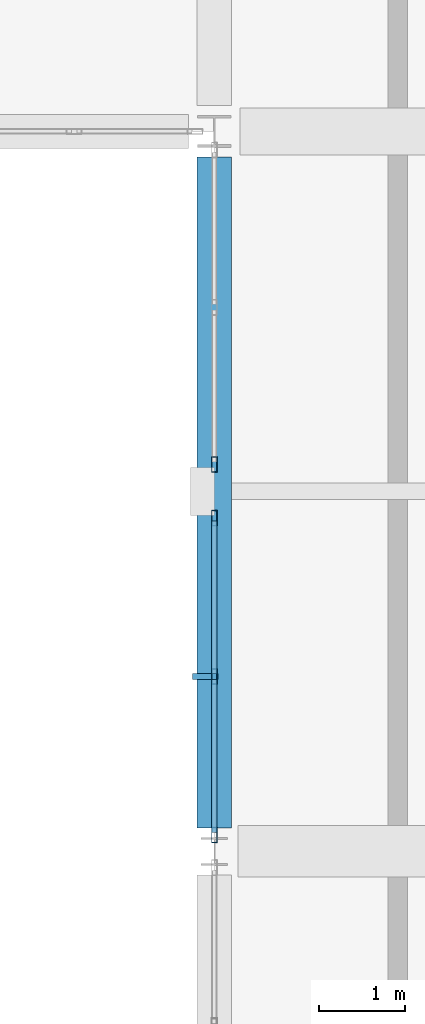
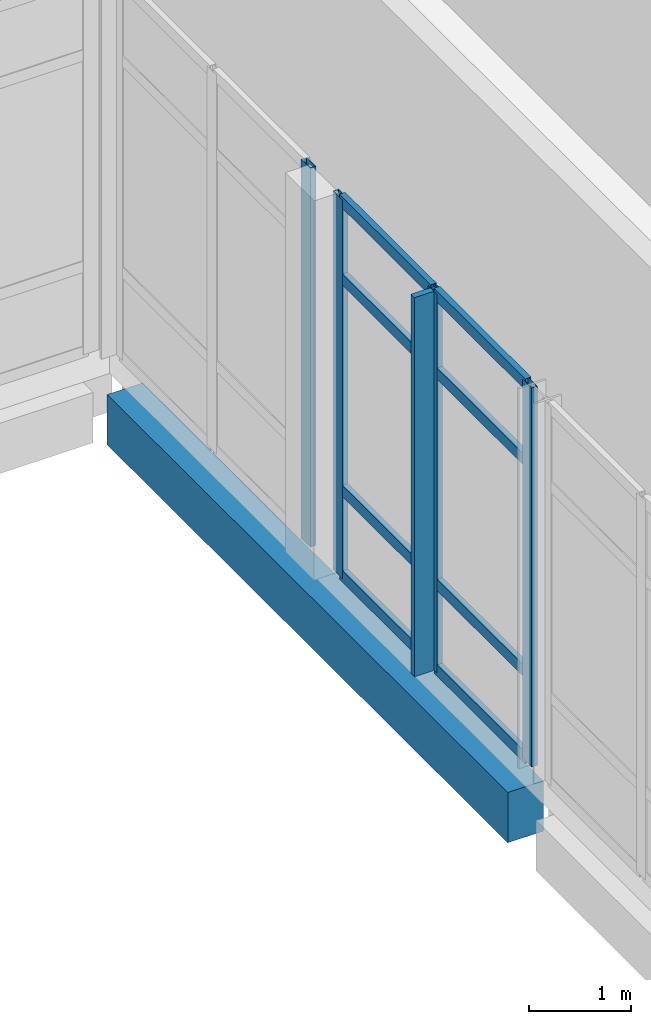
# One storey, part 31 of 102: 13 members, 1 beam, 2 elements without a shape of their own.
"""IFC4 building model written with IfcOpenShell, lengths in metres."""

from ifc_helpers import new_model, si_unit, direction, frame, origin, origin_2d, place, context, subcontext, project, spatial, rectangle, hollow_rectangle, extrude, material, layer, layer_set, material_profile, profile_set, type_object, element, aggregate, save


model = new_model("IFC4")

# Units and contexts
model_context = context("Model", 3, precision=1e-05, world=origin(), true_north=direction((0.0, 1.0)))
body_context = subcontext(model_context, "Body", "Model", "MODEL_VIEW")
ifc_project = project(units=[si_unit("LENGTHUNIT", "METRE"), si_unit("AREAUNIT", "SQUARE_METRE"), si_unit("VOLUMEUNIT", "CUBIC_METRE"), si_unit("PLANEANGLEUNIT", "RADIAN"), si_unit("MASSUNIT", "GRAM", prefix="KILO")], contexts=[model_context])

# Site, building, storey
site_placement = place(None, origin())
site = spatial("IfcSite", under=ifc_project, at=site_placement, CompositionType="ELEMENT")
building_placement = place(site_placement, origin())
building = spatial("IfcBuilding", under=site, at=building_placement, Name="Lornevale Opera House", CompositionType="ELEMENT")
storey_placement = place(building_placement, frame((0.0, 0.0, 5.39990234375)))
storey = spatial("IfcBuildingStorey", under=building, at=storey_placement, Name="L02", CompositionType="ELEMENT", Elevation=5.39990234375)

# Beam
ifc_material_1 = material(Name="Concrete 35 MPa (CSA A23.1 N)", Category="concrete")
ifc_material_profile_1 = material_profile(ifc_material_1, rectangle(XDim=0.39990234375, YDim=0.60009765625, at=origin_2d()), Name="RC400x600")
ifc_profile_set_1 = profile_set([ifc_material_profile_1], Name="Concrete 35 MPa (CSA A23.1 N)")
beam_type = type_object("IfcBeamType", Name="Concrete Spandrel Beam 400x600", PredefinedType="SPANDREL", material=ifc_profile_set_1)
beam_placement = place(storey_placement, frame((28.800048828125, 59.074951171875, -0.64990234375), z_axis=(0.0, 1.0, 0.0), x_axis=(-1.0, 0.0, 0.0)))
element("IfcBeam", 1, at=beam_placement, inside=storey, type_object=beam_type, Name="Concrete Spandrel Beam 400x600 1852", PredefinedType="SPANDREL", context=body_context, shape_type="SweptSolid", body=[
    extrude(rectangle(XDim=0.39990234375, YDim=0.60009765625, at=origin_2d()), origin(), (0.0, 0.0, 1.0), 7.824951171875),
])

# Curtain wall, members
ifc_material_2 = material(Name="Anodized Oxide-Green Aluminium Framing", Category="aluminium")
ifc_layer = layer(ifc_material_2, 0.175048828125)
ifc_layer_set = layer_set([ifc_layer], Name="Anodized Oxide-Green Aluminium Framing")
curtain_wall_type = type_object("IfcCurtainWallType", Name="Chamber Cloister Curtain Wall M1700", PredefinedType="NOTDEFINED", material=ifc_layer_set)
curtain_wall_1_placement = place(storey_placement, origin())
curtain_wall_1 = element("IfcCurtainWall", 2, at=curtain_wall_1_placement, inside=storey, type_object=curtain_wall_type, Name="Chamber Cloister Curtain Wall M1700 CW-059", PredefinedType="NOTDEFINED")
ifc_material_profile_2 = material_profile(ifc_material_2, hollow_rectangle(XDim=0.06494140625, YDim=0.179931640625, WallThickness=0.0048828125, at=origin_2d()), Name="ALU65x180x5")
ifc_profile_set_2 = profile_set([ifc_material_profile_2], Name="Anodized Oxide-Green Aluminium Framing")
member_type_1 = type_object("IfcMemberType", Name="Curtain Wall Mullion 65x180", PredefinedType="MULLION", material=ifc_profile_set_2)
member_1_placement = place(storey_placement, frame((28.800048828125, 58.989990234375, 0.0), z_axis=(0.0, 0.0, 1.0), x_axis=(-1.0, 0.0, 0.0)))
member_1 = element("IfcMember", 3, at=member_1_placement, type_object=member_type_1, Name="Curtain Wall Mullion 65x180 CW1179", PredefinedType="MULLION", context=body_context, shape_type="SweptSolid", body=[
    extrude(hollow_rectangle(XDim=0.06494140625, YDim=0.179931640625, WallThickness=0.0048828125, at=origin_2d()), origin(), (0.0, 0.0, 1.0), 4.52001953125),
])
member_2_placement = place(storey_placement, frame((28.800048828125, 60.8388671875, 0.0), z_axis=(0.0, 0.0, 1.0), x_axis=(-1.0, 0.0, 0.0)))
member_2 = element("IfcMember", 4, at=member_2_placement, type_object=member_type_1, Name="Curtain Wall Mullion 65x180 CW1180", PredefinedType="MULLION", context=body_context, shape_type="SweptSolid", body=[
    extrude(hollow_rectangle(XDim=0.06494140625, YDim=0.179931640625, WallThickness=0.0048828125, at=origin_2d()), origin(), (0.0, 0.0, 1.0), 4.52001953125),
])
member_3_placement = place(storey_placement, frame((28.800048828125, 62.6875, 0.0), z_axis=(0.0, 0.0, 1.0), x_axis=(-1.0, 0.0, 0.0)))
member_3 = element("IfcMember", 5, at=member_3_placement, type_object=member_type_1, Name="Curtain Wall Mullion 65x180 CW1181", PredefinedType="MULLION", context=body_context, shape_type="SweptSolid", body=[
    extrude(hollow_rectangle(XDim=0.06494140625, YDim=0.179931640625, WallThickness=0.0048828125, at=origin_2d()), origin(), (0.0, 0.0, 1.0), 4.52001953125),
])

# Curtain wall, member
curtain_wall_2_placement = place(storey_placement, origin())
curtain_wall_2 = element("IfcCurtainWall", 6, at=curtain_wall_2_placement, inside=storey, type_object=curtain_wall_type, Name="Chamber Cloister Curtain Wall M1700 CW-060", PredefinedType="NOTDEFINED")
member_4_placement = place(storey_placement, frame((28.800048828125, 63.3125, 0.0), z_axis=(0.0, 0.0, 1.0), x_axis=(-1.0, 0.0, 0.0)))
member_4 = element("IfcMember", 7, at=member_4_placement, type_object=member_type_1, Name="Curtain Wall Mullion 65x180 CW1196", PredefinedType="MULLION", context=body_context, shape_type="SweptSolid", body=[
    extrude(hollow_rectangle(XDim=0.06494140625, YDim=0.179931640625, WallThickness=0.0048828125, at=origin_2d()), origin(), (0.0, 0.0, 1.0), 4.52001953125),
])
aggregate(curtain_wall_2, [member_4])

# Member
ifc_material_profile_3 = material_profile(ifc_material_2, hollow_rectangle(XDim=0.06494140625, YDim=0.135009765625, WallThickness=0.00390625, at=origin_2d()), Name="ALU65x135x4")
ifc_profile_set_3 = profile_set([ifc_material_profile_3], Name="Anodized Oxide-Green Aluminium Framing")
member_type_2 = type_object("IfcMemberType", Name="Curtain Wall Transom 65x135", PredefinedType="USERDEFINED", material=ifc_profile_set_3)
member_5_placement = place(storey_placement, frame((28.800048828125, 59.0224609375, 0.03271484375), z_axis=(0.0, 1.0, 0.0), x_axis=(-1.0, 0.0, 0.0)))
member_5 = element("IfcMember", 8, at=member_5_placement, type_object=member_type_2, Name="Curtain Wall Transom 65x135 CW1182", ObjectType="TRANSOM", PredefinedType="USERDEFINED", context=body_context, shape_type="SweptSolid", body=[
    extrude(hollow_rectangle(XDim=0.06494140625, YDim=0.135009765625, WallThickness=0.00390625, at=origin_2d()), origin(), (0.0, 0.0, 1.0), 1.78369140625),
])

member_6_placement = place(storey_placement, frame((28.800048828125, 59.0224609375, 1.050048828125), z_axis=(0.0, 1.0, 0.0), x_axis=(-1.0, 0.0, 0.0)))
member_6 = element("IfcMember", 9, at=member_6_placement, type_object=member_type_2, Name="Curtain Wall Transom 65x135 CW1183", ObjectType="TRANSOM", PredefinedType="USERDEFINED", context=body_context, shape_type="SweptSolid", body=[
    extrude(hollow_rectangle(XDim=0.06494140625, YDim=0.135009765625, WallThickness=0.00390625, at=origin_2d()), origin(), (0.0, 0.0, 1.0), 1.78369140625),
])

member_7_placement = place(storey_placement, frame((28.800048828125, 59.0224609375, 3.570068359375), z_axis=(0.0, 1.0, 0.0), x_axis=(-1.0, 0.0, 0.0)))
member_7 = element("IfcMember", 10, at=member_7_placement, type_object=member_type_2, Name="Curtain Wall Transom 65x135 CW1184", ObjectType="TRANSOM", PredefinedType="USERDEFINED", context=body_context, shape_type="SweptSolid", body=[
    extrude(hollow_rectangle(XDim=0.06494140625, YDim=0.135009765625, WallThickness=0.00390625, at=origin_2d()), origin(), (0.0, 0.0, 1.0), 1.78369140625),
])

member_8_placement = place(storey_placement, frame((28.800048828125, 59.0224609375, 4.487548828125), z_axis=(0.0, 1.0, 0.0), x_axis=(-1.0, 0.0, 0.0)))
member_8 = element("IfcMember", 11, at=member_8_placement, type_object=member_type_2, Name="Curtain Wall Transom 65x135 CW1185", ObjectType="TRANSOM", PredefinedType="USERDEFINED", context=body_context, shape_type="SweptSolid", body=[
    extrude(hollow_rectangle(XDim=0.06494140625, YDim=0.135009765625, WallThickness=0.00390625, at=origin_2d()), origin(), (0.0, 0.0, 1.0), 1.78369140625),
])

member_9_placement = place(storey_placement, frame((28.800048828125, 60.871337890625, 0.03271484375), z_axis=(0.0, 1.0, 0.0), x_axis=(-1.0, 0.0, 0.0)))
member_9 = element("IfcMember", 12, at=member_9_placement, type_object=member_type_2, Name="Curtain Wall Transom 65x135 CW1189", ObjectType="TRANSOM", PredefinedType="USERDEFINED", context=body_context, shape_type="SweptSolid", body=[
    extrude(hollow_rectangle(XDim=0.06494140625, YDim=0.135009765625, WallThickness=0.00390625, at=origin_2d()), origin(), (0.0, 0.0, 1.0), 1.78369140625),
])

member_10_placement = place(storey_placement, frame((28.800048828125, 60.871337890625, 1.050048828125), z_axis=(0.0, 1.0, 0.0), x_axis=(-1.0, 0.0, 0.0)))
member_10 = element("IfcMember", 13, at=member_10_placement, type_object=member_type_2, Name="Curtain Wall Transom 65x135 CW1190", ObjectType="TRANSOM", PredefinedType="USERDEFINED", context=body_context, shape_type="SweptSolid", body=[
    extrude(hollow_rectangle(XDim=0.06494140625, YDim=0.135009765625, WallThickness=0.00390625, at=origin_2d()), origin(), (0.0, 0.0, 1.0), 1.78369140625),
])

member_11_placement = place(storey_placement, frame((28.800048828125, 60.871337890625, 3.570068359375), z_axis=(0.0, 1.0, 0.0), x_axis=(-1.0, 0.0, 0.0)))
member_11 = element("IfcMember", 14, at=member_11_placement, type_object=member_type_2, Name="Curtain Wall Transom 65x135 CW1191", ObjectType="TRANSOM", PredefinedType="USERDEFINED", context=body_context, shape_type="SweptSolid", body=[
    extrude(hollow_rectangle(XDim=0.06494140625, YDim=0.135009765625, WallThickness=0.00390625, at=origin_2d()), origin(), (0.0, 0.0, 1.0), 1.78369140625),
])

member_12_placement = place(storey_placement, frame((28.800048828125, 60.871337890625, 4.487548828125), z_axis=(0.0, 1.0, 0.0), x_axis=(-1.0, 0.0, 0.0)))
member_12 = element("IfcMember", 15, at=member_12_placement, type_object=member_type_2, Name="Curtain Wall Transom 65x135 CW1192", ObjectType="TRANSOM", PredefinedType="USERDEFINED", context=body_context, shape_type="SweptSolid", body=[
    extrude(hollow_rectangle(XDim=0.06494140625, YDim=0.135009765625, WallThickness=0.00390625, at=origin_2d()), origin(), (0.0, 0.0, 1.0), 1.78369140625),
])

ifc_material_3 = material(Name="Architectural Bronze Solar Louvre Alloy", Category="metal")
ifc_material_profile_4 = material_profile(ifc_material_3, rectangle(XDim=0.070068359375, YDim=0.300048828125, at=origin_2d()), Name="FIN70x300")
ifc_profile_set_4 = profile_set([ifc_material_profile_4], Name="Architectural Bronze Solar Louvre Alloy")
member_type_3 = type_object("IfcMemberType", Name="Solar Shading Fin 70x300", PredefinedType="USERDEFINED", material=ifc_profile_set_4)
member_13_placement = place(storey_placement, frame((28.695068359375, 60.8388671875, 0.0), z_axis=(0.0, 0.0, 1.0), x_axis=(0.0, 1.0, 0.0)))
member_13 = element("IfcMember", 16, at=member_13_placement, type_object=member_type_3, Name="Solar Shading Fin 70x300 FIN0024", ObjectType="SOLAR FIN", PredefinedType="USERDEFINED", context=body_context, shape_type="SweptSolid", body=[
    extrude(rectangle(XDim=0.070068359375, YDim=0.300048828125, at=origin_2d()), origin(), (0.0, 0.0, 1.0), 4.52001953125),
])

aggregate(curtain_wall_1, [member_1, member_2, member_3, member_5, member_6, member_7, member_8, member_9, member_10, member_11, member_12, member_13])

save(model, "model.ifc")
